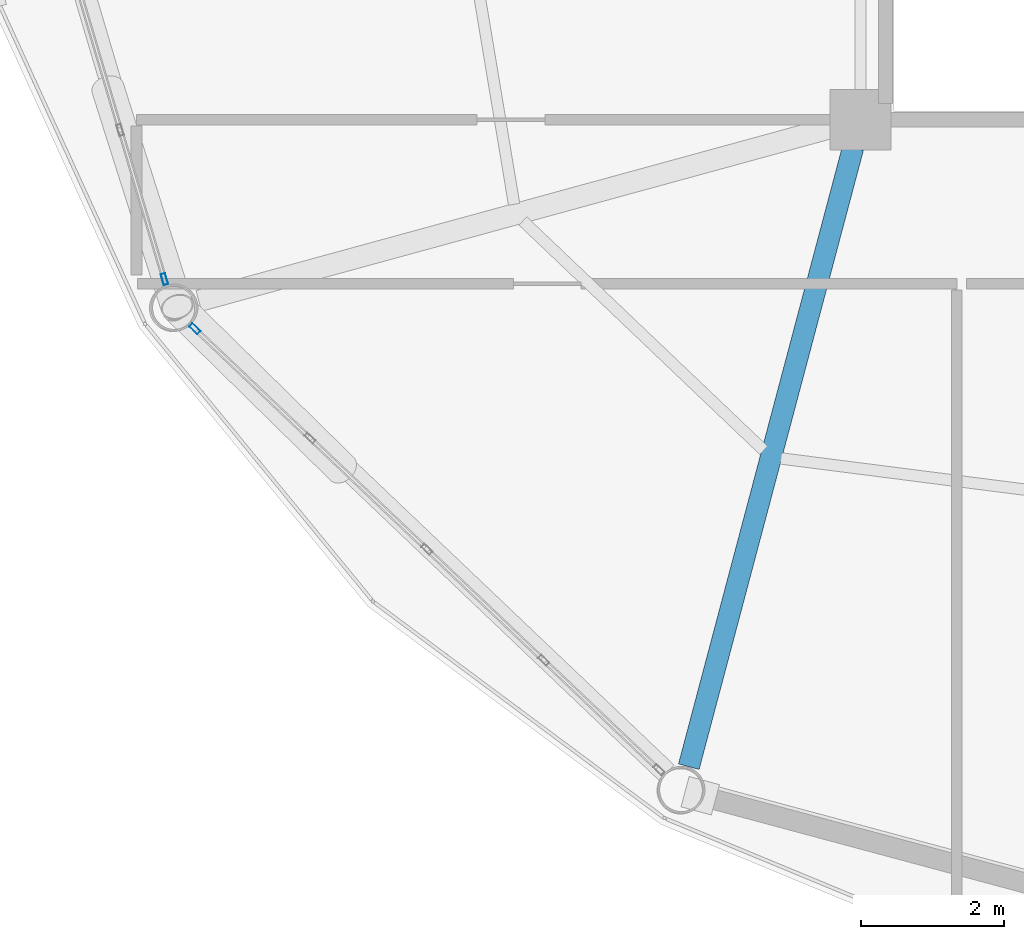
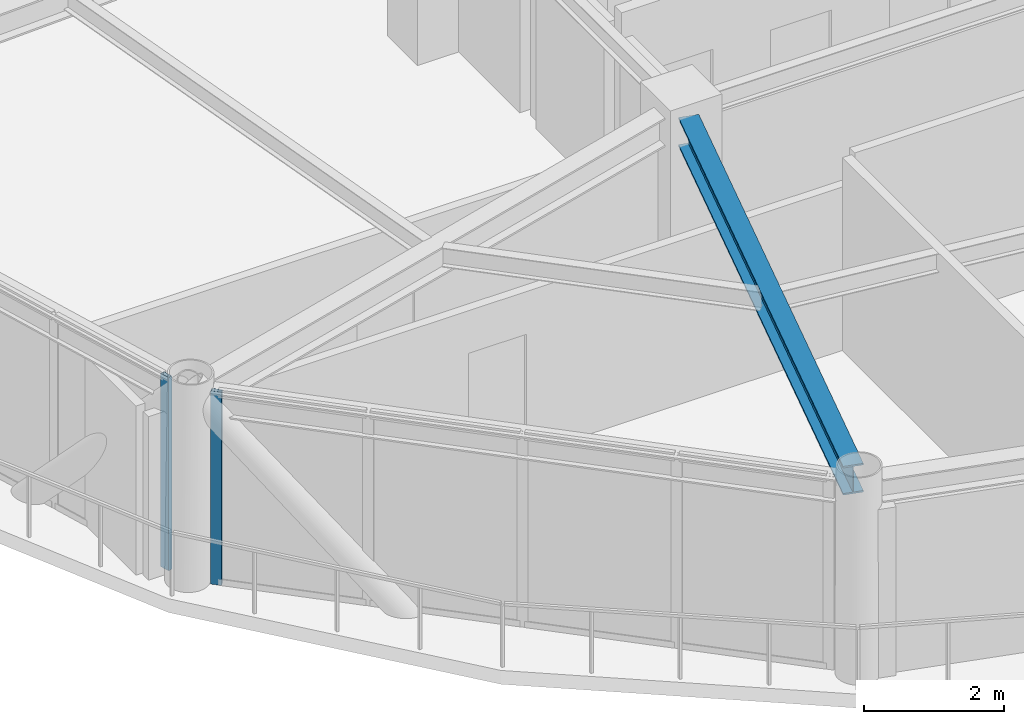
# One storey, part 4 of 29: 2 members, 1 beam, 2 elements without a shape of their own.
"""IFC4 building model written with IfcOpenShell, lengths in metres."""

import ifcopenshell
import ifcopenshell.guid

model = None  # the IFC model being written
_history = None  # IfcOwnerHistory: only IFC2X3 demands one
_inside = {}  # id of a spatial element -> (the spatial element, [elements in it])
_under = {}  # id of a project, library or spatial element -> (it, [spatial elements below it])
_declared = {}  # id of a project -> (the project, [libraries it declares])
_typed = {}  # id of a type object -> (the type object, [elements of that type])
_made_of = {}  # id of a material, layer set ... -> (it, [elements and type objects made of it])


def new_model(schema):
    """Start an empty IFC model of exactly this schema.

    Asked for "IFC4X3", IfcOpenShell would pick the latest addendum, in which some entities
    have other attributes; the version numbers below select the first issue.
    IFC2X3 requires an IfcOwnerHistory on every rooted entity: one is made here for all.
    """
    global model, _history
    if schema == "IFC4X3":
        model = ifcopenshell.file(schema_version=(4, 3, 0, 0))
    else:
        model = ifcopenshell.file(schema=schema)
    _inside.clear()
    _under.clear()
    _declared.clear()
    _typed.clear()
    _made_of.clear()
    _history = None
    if model.schema == "IFC2X3":
        org = make("IfcOrganization", Name="unknown")
        user = make(
            "IfcPersonAndOrganization",
            ThePerson=make("IfcPerson", FamilyName="unknown"),
            TheOrganization=org,
        )
        app = make(
            "IfcApplication",
            ApplicationDeveloper=org,
            Version="unknown",
            ApplicationFullName="unknown",
            ApplicationIdentifier="unknown",
        )
        _history = make(
            "IfcOwnerHistory",
            OwningUser=user,
            OwningApplication=app,
            ChangeAction="ADDED",
            CreationDate=0,
        )
    return model


def make(cls, **values):
    """One entity of the class cls with the attributes given. An attribute that is None is left unset."""
    return model.create_entity(
        cls, **{name: value for name, value in values.items() if value is not None}
    )


def rooted(cls, **values):
    """An entity with a GlobalId (a new one), such as an element, a storey or a relation."""
    return make(cls, GlobalId=ifcopenshell.guid.new(), OwnerHistory=_history, **values)


def si_unit(unit_type, name, prefix=None):
    """IfcSIUnit, for example si_unit("LENGTHUNIT", "METRE", prefix="MILLI")."""
    return make("IfcSIUnit", UnitType=unit_type, Prefix=prefix, Name=name)


def assignment(units):
    """IfcUnitAssignment: the units of a project."""
    return None if units is None else make("IfcUnitAssignment", Units=units)


def point(xyz):
    """IfcCartesianPoint."""
    return None if xyz is None else make("IfcCartesianPoint", Coordinates=xyz)


def direction(xyz):
    """IfcDirection."""
    return None if xyz is None else make("IfcDirection", DirectionRatios=xyz)


def frame(location, z_axis=None, x_axis=None):
    """IfcAxis2Placement3D, a coordinate frame: its origin and axes. An axis left out is left unset."""
    return make(
        "IfcAxis2Placement3D",
        Location=point(location),
        Axis=direction(z_axis),
        RefDirection=direction(x_axis),
    )


def frame_2d(location, x_axis=None):
    """IfcAxis2Placement2D, a coordinate frame in the plane: its origin and x axis."""
    return make(
        "IfcAxis2Placement2D", Location=point(location), RefDirection=direction(x_axis)
    )


def origin():
    """The frame at (0, 0, 0) with its axes left unset."""
    return frame((0.0, 0.0, 0.0))


def origin_2d():
    """The frame at (0, 0) in the plane with its x axis left unset."""
    return frame_2d((0.0, 0.0))


def place(relative_to, where):
    """IfcLocalPlacement: puts the frame where relative to a parent placement (None: the world)."""
    return make(
        "IfcLocalPlacement", PlacementRelTo=relative_to, RelativePlacement=where
    )


def context(
    kind, dimensions, precision=None, world=None, true_north=None, identifier=None
):
    """IfcGeometricRepresentationContext, for example the 3D "Model" context."""
    return make(
        "IfcGeometricRepresentationContext",
        ContextIdentifier=identifier,
        ContextType=kind,
        CoordinateSpaceDimension=dimensions,
        Precision=precision,
        WorldCoordinateSystem=world,
        TrueNorth=true_north,
    )


def subcontext(parent, identifier, kind, view, scale=None):
    """IfcGeometricRepresentationSubContext, for example "Body" below "Model"."""
    return make(
        "IfcGeometricRepresentationSubContext",
        ContextIdentifier=identifier,
        ContextType=kind,
        ParentContext=parent,
        TargetScale=scale,
        TargetView=view,
    )


def project(units=None, contexts=None):
    """IfcProject with its units and contexts."""
    return rooted(
        "IfcProject",
        Name="project",
        RepresentationContexts=contexts,
        UnitsInContext=assignment(units),
    )


def spatial(cls, under=None, at=None, **own):
    """A site, building, storey or space (cls), placed at a placement, below another one or the project."""
    s = rooted(cls, ObjectPlacement=at, **own)
    if under is not None:
        _under.setdefault(under.id(), (under, []))[1].append(s)
    return s


def profile(cls, at=None, kind="AREA", **sizes):
    """A parametric profile (cls). Its sizes go by their IFC names, for example OverallWidth=200.0."""
    return make(cls, ProfileType=kind, Position=at, **sizes)


def hollow_rectangle(**sizes):
    """IfcRectangleHollowProfileDef."""
    return profile("IfcRectangleHollowProfileDef", **sizes)


def i_section(**sizes):
    """IfcIShapeProfileDef."""
    return profile("IfcIShapeProfileDef", **sizes)


def extrude(swept, where, along, depth):
    """IfcExtrudedAreaSolid: the profile swept, set in the frame where, extruded along a direction by depth."""
    return make(
        "IfcExtrudedAreaSolid",
        SweptArea=swept,
        Position=where,
        ExtrudedDirection=direction(along),
        Depth=depth,
    )


def shape(context_of_items, identifier, shape_type, items):
    """IfcShapeRepresentation: the items that make up one representation, for example the "Body"."""
    return make(
        "IfcShapeRepresentation",
        ContextOfItems=context_of_items,
        RepresentationIdentifier=identifier,
        RepresentationType=shape_type,
        Items=items,
    )


def material(Name=None, Category=None):
    """IfcMaterial."""
    return make("IfcMaterial", Name=Name, Category=Category)


def layer(
    of_material, thickness, ventilated=None, Name=None, Category=None, Priority=None
):
    """IfcMaterialLayer: one layer of a wall or slab, of a material (None: an air gap)."""
    return make(
        "IfcMaterialLayer",
        Material=of_material,
        LayerThickness=thickness,
        IsVentilated=ventilated,
        Name=Name,
        Category=Category,
        Priority=Priority,
    )


def layer_set(layers, Name=None):
    """IfcMaterialLayerSet."""
    return make("IfcMaterialLayerSet", MaterialLayers=layers, LayerSetName=Name)


def material_profile(
    of_material, cross_section, Name=None, Category=None, Priority=None
):
    """IfcMaterialProfile: a cross section and its material."""
    return make(
        "IfcMaterialProfile",
        Name=Name,
        Material=of_material,
        Profile=cross_section,
        Priority=Priority,
        Category=Category,
    )


def profile_set(profiles, Name=None, composite=None):
    """IfcMaterialProfileSet."""
    return make(
        "IfcMaterialProfileSet",
        Name=Name,
        MaterialProfiles=profiles,
        CompositeProfile=composite,
    )


def made_of(thing, what):
    """Note that an element or type object is made of a material, layer set ...; save() writes the relation."""
    if what is not None:
        _made_of.setdefault(what.id(), (what, []))[1].append(thing)
    return thing


def type_object(cls, material=None, **own):
    """A type object (cls), such as IfcWallType, which elements share."""
    return made_of(rooted(cls, **own), material)


def element(
    cls,
    number,
    at=None,
    inside=None,
    cuts=None,
    type_object=None,
    material=None,
    context=None,
    identifier="Body",
    shape_type=None,
    held_by="IfcProductDefinitionShape",
    body=None,
    shapes=None,
    **own,
):
    """One element of the class cls, such as IfcWall. Its Tag is "e" and its number.

    at: its placement. inside: the storey or other place that contains it. cuts: it is an
    opening in that element (IfcRelVoidsElement). A single representation is given by context,
    identifier, shape_type and body (its items); several are given by shapes. held_by: the class
    of the entity that holds the representations. save() writes the other relations.
    """
    e = rooted(cls, Tag="e%d" % number, ObjectPlacement=at, **own)
    if body is not None:
        shapes = [shape(context, identifier, shape_type, body)]
    if shapes is not None:
        e.Representation = make(held_by, Representations=shapes)
    if inside is not None:
        _inside.setdefault(inside.id(), (inside, []))[1].append(e)
    if cuts is not None:
        rooted(
            "IfcRelVoidsElement", RelatingBuildingElement=cuts, RelatedOpeningElement=e
        )
    if type_object is not None:
        _typed.setdefault(type_object.id(), (type_object, []))[1].append(e)
    return made_of(e, material)


def aggregate(whole, parts):
    """IfcRelAggregates: a whole, such as a stair, and the parts it consists of."""
    return rooted("IfcRelAggregates", RelatingObject=whole, RelatedObjects=parts)


def save(model, path):
    """Write the relations noted so far, then the file.

    IfcRelAggregates (storeys below a building ...), IfcRelContainedInSpatialStructure (elements
    in a storey), IfcRelDefinesByType, IfcRelAssociatesMaterial and IfcRelDeclares: one each for
    every whole, place, type object, material and project.
    """
    for whole, parts in _under.values():
        aggregate(whole, parts)
    for where, things in _inside.values():
        rooted(
            "IfcRelContainedInSpatialStructure",
            RelatedElements=things,
            RelatingStructure=where,
        )
    for kind, things in _typed.values():
        rooted("IfcRelDefinesByType", RelatedObjects=things, RelatingType=kind)
    for what, things in _made_of.values():
        rooted("IfcRelAssociatesMaterial", RelatedObjects=things, RelatingMaterial=what)
    for by, libraries in _declared.values():
        rooted("IfcRelDeclares", RelatingContext=by, RelatedDefinitions=libraries)
    model.write(path)


model = new_model("IFC4")

# Units and contexts
model_context = context("Model", 3, precision=1e-05, world=origin(), true_north=direction((0.0, 1.0)))
body_context = subcontext(model_context, "Body", "Model", "MODEL_VIEW")
ifc_project = project(units=[si_unit("LENGTHUNIT", "METRE"), si_unit("AREAUNIT", "SQUARE_METRE"), si_unit("VOLUMEUNIT", "CUBIC_METRE"), si_unit("PLANEANGLEUNIT", "RADIAN"), si_unit("MASSUNIT", "GRAM", prefix="KILO")], contexts=[model_context])

# Site, building, storey
site_placement = place(None, origin())
site = spatial("IfcSite", under=ifc_project, at=site_placement, CompositionType="ELEMENT")
building_placement = place(site_placement, origin())
building = spatial("IfcBuilding", under=site, at=building_placement, Name="Varnakorn Sky Granary", CompositionType="ELEMENT")
storey_placement = place(building_placement, frame((0.0, 0.0, 189.60009765625)))
storey = spatial("IfcBuildingStorey", under=building, at=storey_placement, Name="L47", CompositionType="ELEMENT", Elevation=189.60009765625)

# Beam
ifc_material_1 = material(Name="Steel S355JR", Category="steel")
ifc_material_profile_1 = material_profile(ifc_material_1, i_section(OverallWidth=0.300048828125, OverallDepth=0.5, WebThickness=0.014404296875, FlangeThickness=0.028076171875, at=origin_2d()), Name="HE 500 B")
ifc_profile_set_1 = profile_set([ifc_material_profile_1], Name="Steel S355JR")
beam_type = type_object("IfcBeamType", Name="BM-RAD-Z4", PredefinedType="BEAM", material=ifc_profile_set_1)
beam_placement = place(storey_placement, frame((-2.453857421875, -6.991455078125, 3.10986328125), z_axis=(-0.25650831168, -0.966542024973, 0.0), x_axis=(0.966542024973, -0.25650831168, 0.0)))
element("IfcBeam", 1, at=beam_placement, inside=storey, type_object=beam_type, Name="Radial Floor Girder RG09 L47", PredefinedType="BEAM", context=body_context, shape_type="SweptSolid", body=[
    extrude(i_section(OverallWidth=0.300048828125, OverallDepth=0.5, WebThickness=0.014404296875, FlangeThickness=0.028076171875, at=origin_2d()), origin(), (0.0, 0.0, 1.0), 8.979248046875),
])

# Curtain wall, member
ifc_material_2 = material(Name="Anodised Bronze Aluminium Alloy 6063-T6", Category="aluminium")
ifc_layer = layer(ifc_material_2, 0.169921875, Name="Anodised Bronze Aluminium Alloy 6063-T6")
ifc_layer_set = layer_set([ifc_layer], Name="Anodised Bronze Aluminium Alloy 6063-T6")
curtain_wall_type = type_object("IfcCurtainWallType", Name="CW-LAB-1", PredefinedType="USERDEFINED", material=ifc_layer_set)
curtain_wall_1_placement = place(storey_placement, origin())
curtain_wall_1 = element("IfcCurtainWall", 2, at=curtain_wall_1_placement, inside=storey, type_object=curtain_wall_type, Name="Unitised Curtain Wall CW5 CW-L47-B07", ObjectType="CURTAIN WALL", PredefinedType="USERDEFINED")
ifc_material_profile_2 = material_profile(ifc_material_2, hollow_rectangle(XDim=0.06494140625, YDim=0.159912109375, WallThickness=0.00341796875, at=origin_2d()), Name="ALU MULL 65x160")
ifc_profile_set_2 = profile_set([ifc_material_profile_2], Name="Anodised Bronze Aluminium Alloy 6063-T6")
member_type = type_object("IfcMemberType", Name="CW-LAB-1-MULL", PredefinedType="MULLION", material=ifc_profile_set_2)
member_1_placement = place(storey_placement, frame((-12.109130859375, -8.8349609375, 0.0), z_axis=(0.0, 0.0, 1.0), x_axis=(-0.958736816121, -0.284295123796, 0.0)))
member_1 = element("IfcMember", 3, at=member_1_placement, type_object=member_type, Name="CW5 mullion 1", PredefinedType="MULLION", context=body_context, shape_type="SweptSolid", body=[
    extrude(hollow_rectangle(XDim=0.06494140625, YDim=0.159912109375, WallThickness=0.00341796875, at=origin_2d()), origin(), (0.0, 0.0, 1.0), 3.35986328125),
])
aggregate(curtain_wall_1, [member_1])

curtain_wall_2_placement = place(storey_placement, origin())
curtain_wall_2 = element("IfcCurtainWall", 4, at=curtain_wall_2_placement, inside=storey, type_object=curtain_wall_type, Name="Unitised Curtain Wall CW5 CW-L47-B08", ObjectType="CURTAIN WALL", PredefinedType="USERDEFINED")
member_2_placement = place(storey_placement, frame((-11.682861328125, -9.531005859375, 0.0), z_axis=(0.0, 0.0, 1.0), x_axis=(-0.688905297757, -0.724851357674, 0.0)))
member_2 = element("IfcMember", 5, at=member_2_placement, type_object=member_type, Name="CW5 mullion 5", PredefinedType="MULLION", context=body_context, shape_type="SweptSolid", body=[
    extrude(hollow_rectangle(XDim=0.06494140625, YDim=0.159912109375, WallThickness=0.00341796875, at=origin_2d()), origin(), (0.0, 0.0, 1.0), 3.35986328125),
])
aggregate(curtain_wall_2, [member_2])

save(model, "model.ifc")
